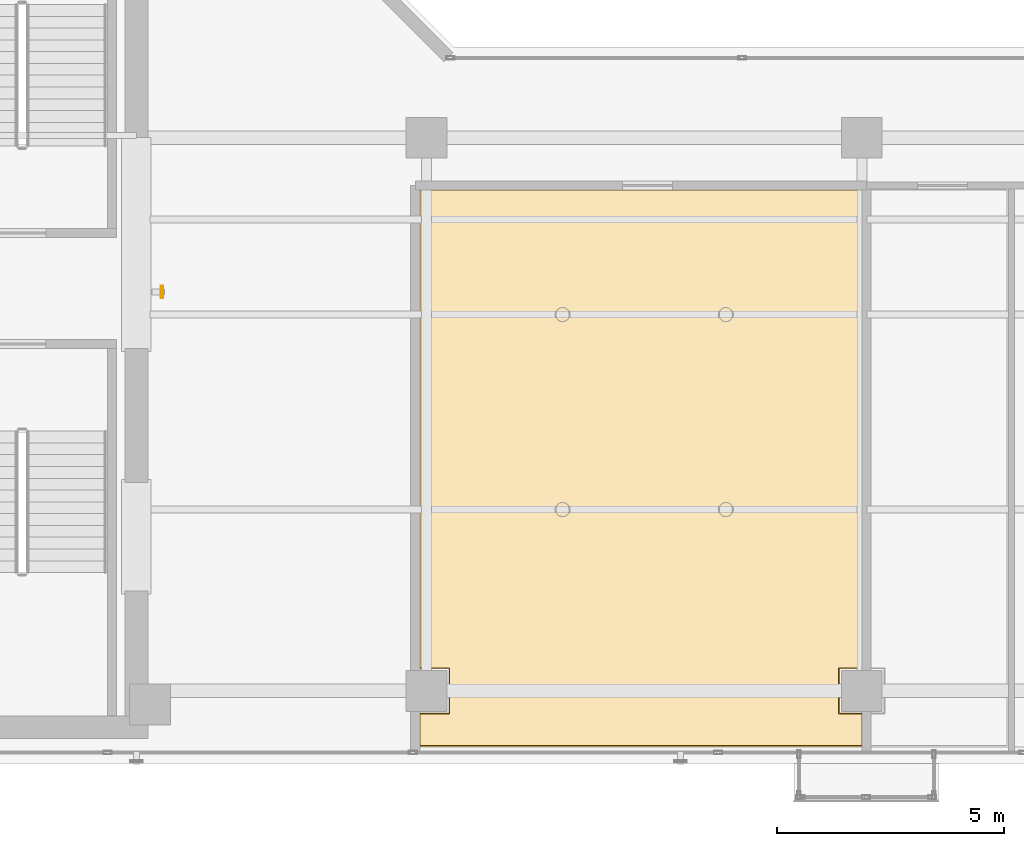
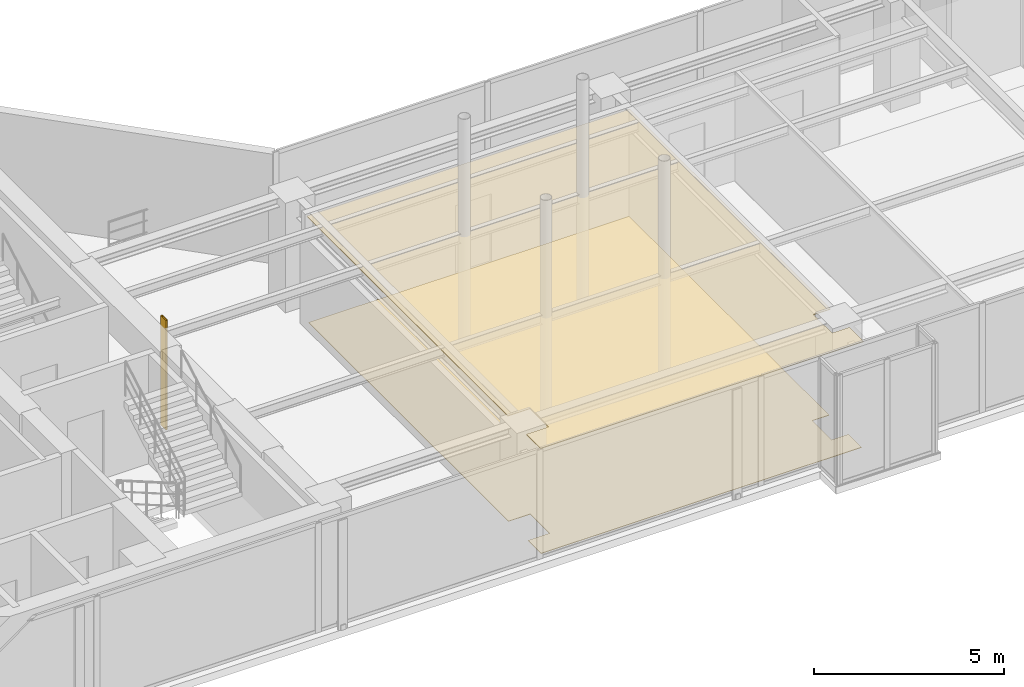
# One storey, part 29 of 32: 2 coverings, 1 shading device.
"""IFC4 building model written with IfcOpenShell, lengths in metres."""

from ifc_helpers import new_model, si_unit, direction, frame, origin, origin_2d, place, context, subcontext, project, spatial, polyline, hollow_rectangle, outline, extrude, material, layer, layer_set, material_profile, profile_set, type_object, element, save


model = new_model("IFC4")

# Units and contexts
model_context = context("Model", 3, precision=1e-05, world=origin(), true_north=direction((0.0, 1.0)))
body_context = subcontext(model_context, "Body", "Model", "MODEL_VIEW")
ifc_project = project(units=[si_unit("LENGTHUNIT", "METRE"), si_unit("AREAUNIT", "SQUARE_METRE"), si_unit("VOLUMEUNIT", "CUBIC_METRE"), si_unit("PLANEANGLEUNIT", "RADIAN"), si_unit("MASSUNIT", "GRAM", prefix="KILO")], contexts=[model_context])

# Site, building, storey
site_placement = place(None, origin())
site = spatial("IfcSite", under=ifc_project, at=site_placement, CompositionType="ELEMENT")
building_placement = place(site_placement, origin())
building = spatial("IfcBuilding", under=site, at=building_placement, Name="Kolvaren Waterfront Exchange", CompositionType="ELEMENT")
storey_placement = place(building_placement, frame((0.0, 0.0, 348.10009765625)))
storey = spatial("IfcBuildingStorey", under=building, at=storey_placement, Name="L89", CompositionType="ELEMENT", Elevation=348.10009765625)

# Covering
ifc_material_1 = material(Name="Mineral fibre acoustic ceiling tile")
ifc_layer_1 = layer(ifc_material_1, 0.02490234375, Name="Mineral fibre acoustic ceiling tile")
ifc_layer_set_1 = layer_set([ifc_layer_1], Name="Mineral fibre acoustic ceiling tile")
covering_type_1 = type_object("IfcCoveringType", Name="ARC-CEIL-ACOUSTIC-25", PredefinedType="CEILING", material=ifc_layer_set_1)
covering_1_placement = place(storey_placement, frame((0.0, 0.0, 3.40478515625)))
element("IfcCovering", 1, at=covering_1_placement, inside=storey, type_object=covering_type_1, Name="L89 acoustic suspended ceiling 1", PredefinedType="CEILING", context=body_context, shape_type="SweptSolid", body=[
    extrude(outline(polyline([(27.014892578125, 5.68994140625), (27.68994140625, 5.68994140625), (27.68994140625, 4.7099609375), (27.014892578125, 4.7099609375), (27.014892578125, 3.965087890625), (36.8349609375, 3.965087890625), (36.8349609375, 4.7099609375), (36.31005859375, 4.7099609375), (36.31005859375, 5.68994140625), (36.8349609375, 5.68994140625), (36.8349609375, 16.284912109375), (27.014892578125, 16.284912109375), (27.014892578125, 5.68994140625)])), origin(), (0.0, 0.0, 1.0), 0.025146484375),
])

# Shading device
ifc_material_2 = material(Name="Anodised bronze aluminium 6063-T6", Category="aluminium")
ifc_material_profile = material_profile(ifc_material_2, hollow_rectangle(XDim=0.054931640625, YDim=0.280029296875, WallThickness=0.00439453125, at=origin_2d()), Name="BRZ-FIN-280x55x4.5")
ifc_profile_set = profile_set([ifc_material_profile], Name="Anodised bronze aluminium 6063-T6")
shading_device_type = type_object("IfcShadingDeviceType", Name="ARC-FIN-280", PredefinedType="USERDEFINED", material=ifc_profile_set)
shading_device_placement = place(storey_placement, frame((21.360107421875, 14.0, 0.0), z_axis=(0.0, 0.0, 1.0), x_axis=(1.0, 0.0, 0.0)))
element("IfcShadingDevice", 2, at=shading_device_placement, inside=storey, type_object=shading_device_type, Name="L89 anodised bronze solar shading fin FIN-L89-E1", ObjectType="SOLAR FIN", PredefinedType="USERDEFINED", context=body_context, shape_type="SweptSolid", body=[
    extrude(hollow_rectangle(XDim=0.054931640625, YDim=0.280029296875, WallThickness=0.00439453125, at=origin_2d()), origin(), (0.0, 0.0, 1.0), 3.52001953125),
])

# Covering
ifc_material_3 = material(Name="Slip-resistant porcelain tile")
ifc_layer_2 = layer(ifc_material_3, 0.014892578125, Name="Slip-resistant porcelain tile")
ifc_layer_set_2 = layer_set([ifc_layer_2], Name="Slip-resistant porcelain tile")
covering_type_2 = type_object("IfcCoveringType", Name="ARC-FLR-PORC-15", PredefinedType="FLOORING", material=ifc_layer_set_2)
covering_2_placement = place(storey_placement, origin())
element("IfcCovering", 3, at=covering_2_placement, inside=storey, type_object=covering_type_2, Name="L89 floor finish 1", PredefinedType="FLOORING", context=body_context, shape_type="SweptSolid", body=[
    extrude(outline(polyline([(27.050048828125, 4.68994140625), (27.050048828125, 4.0), (36.800048828125, 4.0), (36.800048828125, 4.68994140625), (36.2900390625, 4.68994140625), (36.2900390625, 5.7099609375), (36.800048828125, 5.7099609375), (36.800048828125, 16.25), (27.050048828125, 16.25), (27.050048828125, 5.7099609375), (27.7099609375, 5.7099609375), (27.7099609375, 4.68994140625), (27.050048828125, 4.68994140625)])), origin(), (0.0, 0.0, 1.0), 0.014892578125),
])

save(model, "model.ifc")
